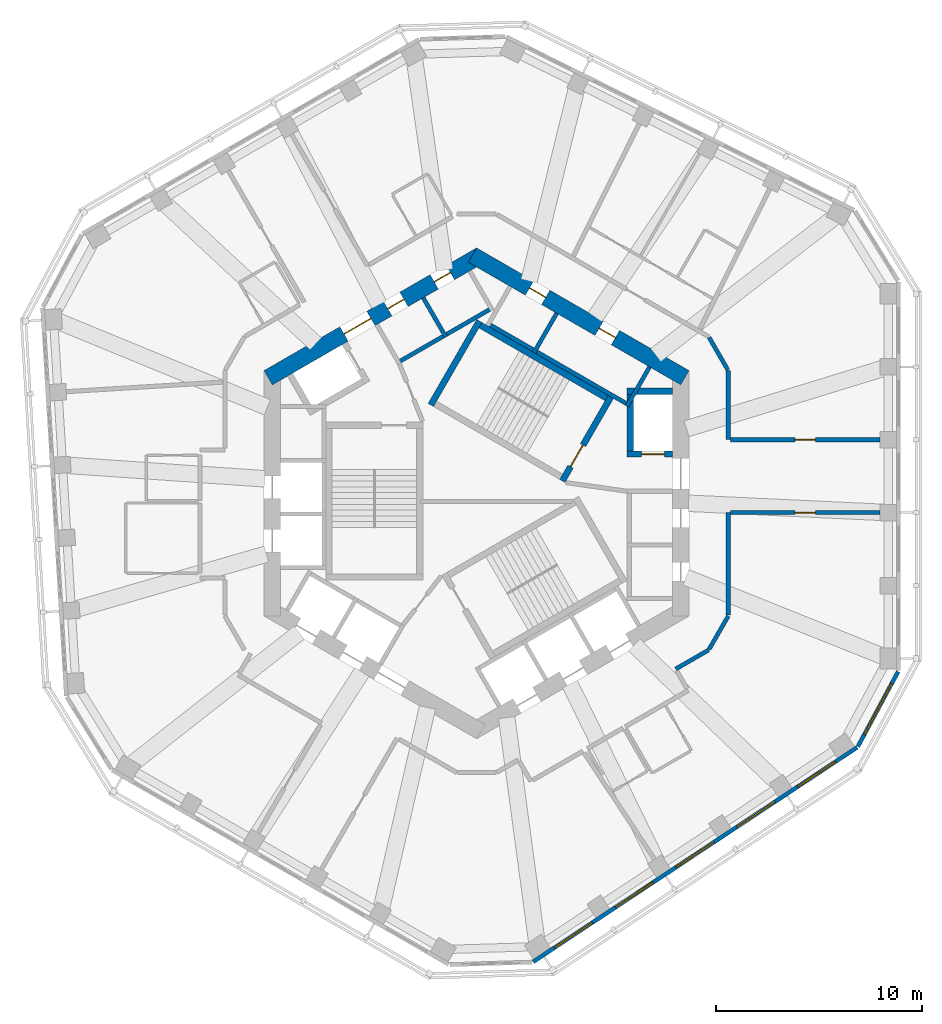
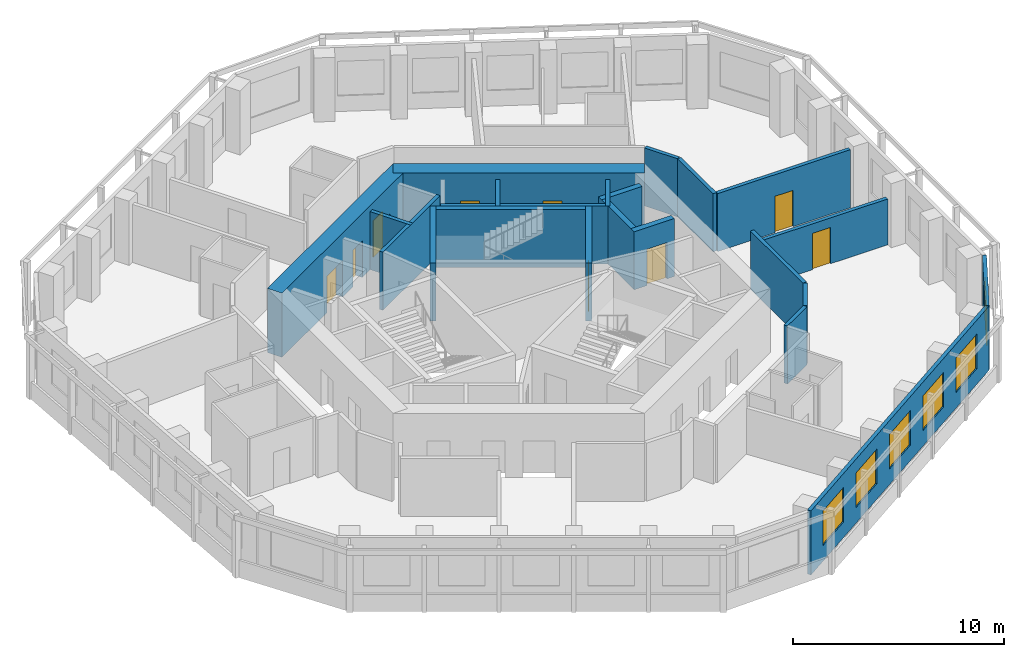
# One storey, part 6 of 11: 22 walls, 9 doors, 6 windows, 15 openings.
"""IFC4 building model written with IfcOpenShell, lengths in metres."""

from ifc_helpers import new_model, si_unit, direction, frame, frame_2d, origin, place, context, subcontext, project, spatial, rectangle, extrude, material, layer, layer_set, type_object, element, fill, save


model = new_model("IFC4")

# Units and contexts
model_context = context("Model", 3, precision=1e-05, world=origin(), true_north=direction((0.0, 1.0)))
body_context = subcontext(model_context, "Body", "Model", "MODEL_VIEW")
ifc_project = project(units=[si_unit("LENGTHUNIT", "METRE"), si_unit("AREAUNIT", "SQUARE_METRE"), si_unit("VOLUMEUNIT", "CUBIC_METRE"), si_unit("PLANEANGLEUNIT", "RADIAN"), si_unit("MASSUNIT", "GRAM", prefix="KILO")], contexts=[model_context])

# Site, building, storey
site_placement = place(None, origin())
site = spatial("IfcSite", under=ifc_project, at=site_placement, CompositionType="ELEMENT")
building_placement = place(site_placement, origin())
building = spatial("IfcBuilding", under=site, at=building_placement, Name="Vanh Sen Convention Tower", CompositionType="ELEMENT")
storey_placement = place(building_placement, frame((0.0, 0.0, 251.300048828125)))
storey = spatial("IfcBuildingStorey", under=building, at=storey_placement, Name="L62", CompositionType="ELEMENT", Elevation=251.300048828125)

# Wall, openings, doors
ifc_material_1 = material(Name="Concrete C60/75", Category="concrete")
ifc_layer_1 = layer(ifc_material_1, 0.800048828125)
ifc_layer_set_1 = layer_set([ifc_layer_1], Name="Concrete C60/75")
wall_type_1 = type_object("IfcWallType", Name="Core outer wall 800 C60/75", PredefinedType="SHEAR", material=ifc_layer_set_1)
wall_1_placement = place(storey_placement, frame((10.10009765625, 5.600341796875, 0.0), z_axis=(0.0, 0.0, 1.0), x_axis=(-0.866023897231, 0.500002609418, 0.0)))
wall_1 = element("IfcWall", 1, at=wall_1_placement, inside=storey, type_object=wall_type_1, Name="Core wall face NE L62", PredefinedType="SHEAR", context=body_context, shape_type="SweptSolid", body=[
    extrude(rectangle(XDim=11.8935546875, YDim=0.800048828125, at=frame_2d((5.94677734375, 0.0))), origin(), (0.0, 0.0, 1.0), 3.699951171875),
])
opening_1_placement = place(wall_1_placement, frame((3.896728515625, 0.0, 0.0)))
opening_1 = element("IfcOpeningElement", 2, at=opening_1_placement, cuts=wall_1, Name="Opening D61011", PredefinedType="OPENING", context=body_context, shape_type="SweptSolid", body=[
    extrude(rectangle(XDim=0.89990234375, YDim=2.10009765625, at=frame_2d((0.449951171875, 1.050048828125))), frame((0.0, 0.409912109375, 0.0), z_axis=(0.0, -1.0, 0.0), x_axis=(1.0, 0.0, 0.0)), (0.0, 0.0, 1.0), 0.820068359375),
])
opening_2_placement = place(wall_1_placement, frame((7.796630859375, 0.0, 0.0)))
opening_2 = element("IfcOpeningElement", 3, at=opening_2_placement, cuts=wall_1, Name="Opening D61012", PredefinedType="OPENING", context=body_context, shape_type="SweptSolid", body=[
    extrude(rectangle(XDim=0.89990234375, YDim=2.10009765625, at=frame_2d((0.449951171875, 1.050048828125))), frame((0.0, 0.409912109375, 0.0), z_axis=(0.0, -1.0, 0.0), x_axis=(1.0, 0.0, 0.0)), (0.0, 0.0, 1.0), 0.820068359375),
])
ifc_material_2 = material(Name="Steel S355", Category="steel")
door_type_1 = type_object("IfcDoorType", Name="Plant door 900", OperationType="SINGLE_SWING_LEFT", PredefinedType="DOOR", material=ifc_material_2)
door_1_placement = place(opening_1_placement, origin())
door_1 = element("IfcDoor", 4, at=door_1_placement, inside=storey, type_object=door_type_1, Name="Plant door D61011", OperationType="SINGLE_SWING_LEFT", OverallHeight=2.10009765625, OverallWidth=0.89990234375, PredefinedType="DOOR", context=body_context, shape_type="SweptSolid", body=[
    extrude(rectangle(XDim=0.89990234375, YDim=2.10009765625, at=frame_2d((0.449951171875, 1.050048828125))), frame((0.0, 0.02490234375, 0.0), z_axis=(0.0, -1.0, 0.0), x_axis=(1.0, 0.0, 0.0)), (0.0, 0.0, 1.0), 0.050048828125),
])
fill(opening_1, door_1)
door_2_placement = place(opening_2_placement, origin())
door_2 = element("IfcDoor", 5, at=door_2_placement, inside=storey, type_object=door_type_1, Name="Plant door D61012", OperationType="SINGLE_SWING_LEFT", OverallHeight=2.10009765625, OverallWidth=0.89990234375, PredefinedType="DOOR", context=body_context, shape_type="SweptSolid", body=[
    extrude(rectangle(XDim=0.89990234375, YDim=2.10009765625, at=frame_2d((0.449951171875, 1.050048828125))), frame((0.0, 0.02490234375, 0.0), z_axis=(0.0, -1.0, 0.0), x_axis=(1.0, 0.0, 0.0)), (0.0, 0.0, 1.0), 0.050048828125),
])
fill(opening_2, door_2)

wall_2_placement = place(storey_placement, frame((0.199951171875, 11.547119140625, 0.0), z_axis=(0.0, 0.0, 1.0), x_axis=(-0.866023897231, -0.500002609418, 0.0)))
wall_2 = element("IfcWall", 6, at=wall_2_placement, inside=storey, type_object=wall_type_1, Name="Core wall face NW L62", PredefinedType="SHEAR", context=body_context, shape_type="SweptSolid", body=[
    extrude(rectangle(XDim=11.8935546875, YDim=0.800048828125, at=frame_2d((5.94677734375, 0.0))), origin(), (0.0, 0.0, 1.0), 3.699951171875),
])
opening_3_placement = place(wall_2_placement, frame((6.146728515625, 0.0, 0.0)))
opening_3 = element("IfcOpeningElement", 7, at=opening_3_placement, cuts=wall_2, Name="Opening D61002", PredefinedType="OPENING", context=body_context, shape_type="SweptSolid", body=[
    extrude(rectangle(XDim=1.5, YDim=2.10009765625, at=frame_2d((0.75, 1.050048828125))), frame((0.0, 0.409912109375, 0.0), z_axis=(0.0, -1.0, 0.0), x_axis=(1.0, 0.0, 0.0)), (0.0, 0.0, 1.0), 0.820068359375),
])
opening_4_placement = place(wall_2_placement, frame((1.69677734375, 0.0, 0.0)))
opening_4 = element("IfcOpeningElement", 8, at=opening_4_placement, cuts=wall_2, Name="Opening D61013", PredefinedType="OPENING", context=body_context, shape_type="SweptSolid", body=[
    extrude(rectangle(XDim=0.89990234375, YDim=2.10009765625, at=frame_2d((0.449951171875, 1.050048828125))), frame((0.0, 0.409912109375, 0.0), z_axis=(0.0, -1.0, 0.0), x_axis=(1.0, 0.0, 0.0)), (0.0, 0.0, 1.0), 0.820068359375),
])
opening_5_placement = place(wall_2_placement, frame((4.296630859375, 0.0, 0.0)))
opening_5 = element("IfcOpeningElement", 9, at=opening_5_placement, cuts=wall_2, Name="Opening D61014", PredefinedType="OPENING", context=body_context, shape_type="SweptSolid", body=[
    extrude(rectangle(XDim=0.89990234375, YDim=2.10009765625, at=frame_2d((0.449951171875, 1.050048828125))), frame((0.0, 0.409912109375, 0.0), z_axis=(0.0, -1.0, 0.0), x_axis=(1.0, 0.0, 0.0)), (0.0, 0.0, 1.0), 0.820068359375),
])
door_3_placement = place(opening_4_placement, origin())
door_3 = element("IfcDoor", 10, at=door_3_placement, inside=storey, type_object=door_type_1, Name="Plant door D61013", OperationType="SINGLE_SWING_LEFT", OverallHeight=2.10009765625, OverallWidth=0.89990234375, PredefinedType="DOOR", context=body_context, shape_type="SweptSolid", body=[
    extrude(rectangle(XDim=0.89990234375, YDim=2.10009765625, at=frame_2d((0.449951171875, 1.050048828125))), frame((0.0, 0.02490234375, 0.0), z_axis=(0.0, -1.0, 0.0), x_axis=(1.0, 0.0, 0.0)), (0.0, 0.0, 1.0), 0.050048828125),
])
fill(opening_4, door_3)
door_4_placement = place(opening_5_placement, origin())
door_4 = element("IfcDoor", 11, at=door_4_placement, inside=storey, type_object=door_type_1, Name="Plant door D61014", OperationType="SINGLE_SWING_LEFT", OverallHeight=2.10009765625, OverallWidth=0.89990234375, PredefinedType="DOOR", context=body_context, shape_type="SweptSolid", body=[
    extrude(rectangle(XDim=0.89990234375, YDim=2.10009765625, at=frame_2d((0.449951171875, 1.050048828125))), frame((0.0, 0.02490234375, 0.0), z_axis=(0.0, -1.0, 0.0), x_axis=(1.0, 0.0, 0.0)), (0.0, 0.0, 1.0), 0.050048828125),
])
fill(opening_5, door_4)
door_type_2 = type_object("IfcDoorType", Name="Stair lobby door 1500", OperationType="DOUBLE_DOOR_SINGLE_SWING", PredefinedType="DOOR", material=ifc_material_2)
door_5_placement = place(opening_3_placement, origin())
door_5 = element("IfcDoor", 12, at=door_5_placement, inside=storey, type_object=door_type_2, Name="Stair lobby door D61002", OperationType="DOUBLE_DOOR_SINGLE_SWING", OverallHeight=2.10009765625, OverallWidth=1.5, PredefinedType="DOOR", context=body_context, shape_type="SweptSolid", body=[
    extrude(rectangle(XDim=1.5, YDim=2.10009765625, at=frame_2d((0.75, 1.050048828125))), frame((0.0, 0.02490234375, 0.0), z_axis=(0.0, -1.0, 0.0), x_axis=(1.0, 0.0, 0.0)), (0.0, 0.0, 1.0), 0.050048828125),
])
fill(opening_3, door_5)

# Walls
ifc_material_3 = material(Name="Gypsum board on steel studs with mineral wool", Category="steel")
ifc_layer_2 = layer(ifc_material_3, 0.199951171875)
ifc_layer_set_2 = layer_set([ifc_layer_2], Name="Gypsum board on steel studs with mineral wool")
wall_type_2 = type_object("IfcWallType", Name="Corridor partition wall 200", PredefinedType="PARTITIONING", material=ifc_layer_set_2)
wall_3_placement = place(storey_placement, frame((9.651611328125, -8.514892578125, 0.0), z_axis=(0.0, 0.0, 1.0), x_axis=(0.866020375458, 0.500008709215, 0.0)))
element("IfcWall", 13, at=wall_3_placement, inside=storey, type_object=wall_type_2, Name="Corridor partition wall 200", PredefinedType="PARTITIONING", context=body_context, shape_type="SweptSolid", body=[
    extrude(rectangle(XDim=1.845703125, YDim=0.199951171875, at=frame_2d((0.9228515625, 0.0))), origin(), (0.0, 0.0, 1.0), 3.349853515625),
])
wall_4_placement = place(storey_placement, frame((11.27001953125, -7.5576171875, 0.0), z_axis=(0.0, 0.0, 1.0), x_axis=(0.499964847546, 0.866045698112, 0.0)))
element("IfcWall", 14, at=wall_4_placement, inside=storey, type_object=wall_type_2, Name="Corridor partition wall 200", PredefinedType="PARTITIONING", context=body_context, shape_type="SweptSolid", body=[
    extrude(rectangle(XDim=1.860107421875, YDim=0.199951171875, at=frame_2d((0.93017578125, 0.0))), origin(), (0.0, 0.0, 1.0), 3.349853515625),
])
wall_5_placement = place(storey_placement, frame((12.179931640625, 5.981201171875, 0.0), z_axis=(0.0, 0.0, 1.0), x_axis=(-0.499904359745, 0.86608061467, 0.0)))
element("IfcWall", 15, at=wall_5_placement, inside=storey, type_object=wall_type_2, Name="Corridor partition wall 200", PredefinedType="PARTITIONING", context=body_context, shape_type="SweptSolid", body=[
    extrude(rectangle(XDim=1.820068359375, YDim=0.199951171875, at=frame_2d((0.91015625, 0.0))), origin(), (0.0, 0.0, 1.0), 3.349853515625),
])
wall_6_placement = place(storey_placement, frame((12.199951171875, -5.90673828125, 0.0), z_axis=(0.0, 0.0, 1.0), x_axis=(0.0, 1.0, 0.0)))
element("IfcWall", 16, at=wall_6_placement, inside=storey, type_object=wall_type_2, Name="Corridor partition wall 200", PredefinedType="PARTITIONING", context=body_context, shape_type="SweptSolid", body=[
    extrude(rectangle(XDim=4.97119140625, YDim=0.199951171875, at=frame_2d((2.485595703125, 0.0))), origin(), (0.0, 0.0, 1.0), 3.349853515625),
])
wall_7_placement = place(storey_placement, frame((12.199951171875, 2.59814453125, 0.0), z_axis=(0.0, 0.0, 1.0), x_axis=(0.0, 1.0, 0.0)))
element("IfcWall", 17, at=wall_7_placement, inside=storey, type_object=wall_type_2, Name="Corridor partition wall 200", PredefinedType="PARTITIONING", context=body_context, shape_type="SweptSolid", body=[
    extrude(rectangle(XDim=3.3486328125, YDim=0.199951171875, at=frame_2d((1.67431640625, 0.0))), origin(), (0.0, 0.0, 1.0), 3.349853515625),
])

# Wall, opening, door
wall_8_placement = place(storey_placement, frame((12.300048828125, -0.935546875, 0.0), z_axis=(0.0, 0.0, 1.0), x_axis=(1.0, 0.0, 0.0)))
wall_8 = element("IfcWall", 18, at=wall_8_placement, inside=storey, type_object=wall_type_2, Name="Corridor partition wall 200", PredefinedType="PARTITIONING", context=body_context, shape_type="SweptSolid", body=[
    extrude(rectangle(XDim=7.25, YDim=0.199951171875, at=frame_2d((3.625, 0.0))), origin(), (0.0, 0.0, 1.0), 2.64990234375),
])
opening_6_placement = place(wall_8_placement, frame((3.125, 0.0, 0.0)))
opening_6 = element("IfcOpeningElement", 19, at=opening_6_placement, cuts=wall_8, Name="Opening D61114", PredefinedType="OPENING", context=body_context, shape_type="SweptSolid", body=[
    extrude(rectangle(XDim=1.0, YDim=2.10009765625, at=frame_2d((0.5, 1.050048828125))), frame((0.0, 0.10986328125, 0.0), z_axis=(0.0, -1.0, 0.0), x_axis=(1.0, 0.0, 0.0)), (0.0, 0.0, 1.0), 0.219970703125),
])
ifc_material_4 = material(Name="Glazed fire door in steel frame", Category="steel")
door_type_3 = type_object("IfcDoorType", Name="Tenant entrance door 1000", OperationType="SINGLE_SWING_LEFT", PredefinedType="DOOR", material=ifc_material_4)
door_6_placement = place(opening_6_placement, origin())
door_6 = element("IfcDoor", 20, at=door_6_placement, inside=storey, type_object=door_type_3, Name="Tenant suite entrance door D61114", OperationType="SINGLE_SWING_LEFT", OverallHeight=2.10009765625, OverallWidth=1.0, PredefinedType="DOOR", context=body_context, shape_type="SweptSolid", body=[
    extrude(rectangle(XDim=1.0, YDim=2.10009765625, at=frame_2d((0.5, 1.050048828125))), frame((0.0, 0.02490234375, 0.0), z_axis=(0.0, -1.0, 0.0), x_axis=(1.0, 0.0, 0.0)), (0.0, 0.0, 1.0), 0.050048828125),
])
fill(opening_6, door_6)

wall_9_placement = place(storey_placement, frame((19.550048828125, 2.59814453125, 0.0), z_axis=(0.0, 0.0, 1.0), x_axis=(-1.0, 0.0, 0.0)))
wall_9 = element("IfcWall", 21, at=wall_9_placement, inside=storey, type_object=wall_type_2, Name="Corridor partition wall 200", PredefinedType="PARTITIONING", context=body_context, shape_type="SweptSolid", body=[
    extrude(rectangle(XDim=7.25, YDim=0.199951171875, at=frame_2d((3.625, 0.0))), origin(), (0.0, 0.0, 1.0), 3.349853515625),
])
opening_7_placement = place(wall_9_placement, frame((3.125, 0.0, 0.0)))
opening_7 = element("IfcOpeningElement", 22, at=opening_7_placement, cuts=wall_9, Name="Opening D61101", PredefinedType="OPENING", context=body_context, shape_type="SweptSolid", body=[
    extrude(rectangle(XDim=1.0, YDim=2.10009765625, at=frame_2d((0.5, 1.050048828125))), frame((0.0, 0.10986328125, 0.0), z_axis=(0.0, -1.0, 0.0), x_axis=(1.0, 0.0, 0.0)), (0.0, 0.0, 1.0), 0.219970703125),
])
ifc_material_5 = material(Name="Timber fire door in steel frame", Category="steel")
door_type_4 = type_object("IfcDoorType", Name="Floor room door 1000", OperationType="SINGLE_SWING_LEFT", PredefinedType="DOOR", material=ifc_material_5)
door_7_placement = place(opening_7_placement, origin())
door_7 = element("IfcDoor", 23, at=door_7_placement, inside=storey, type_object=door_type_4, Name="Meeting and amenity room door D61101", OperationType="SINGLE_SWING_LEFT", OverallHeight=2.10009765625, OverallWidth=1.0, PredefinedType="DOOR", context=body_context, shape_type="SweptSolid", body=[
    extrude(rectangle(XDim=1.0, YDim=2.10009765625, at=frame_2d((0.5, 1.050048828125))), frame((0.0, 0.02490234375, 0.0), z_axis=(0.0, -1.0, 0.0), x_axis=(1.0, 0.0, 0.0)), (0.0, 0.0, 1.0), 0.050048828125),
])
fill(opening_7, door_7)

# Wall, openings, windows
ifc_material_6 = material(Name="Insulated lightweight infill wall")
ifc_layer_3 = layer(ifc_material_6, 0.199951171875)
ifc_layer_set_3 = layer_set([ifc_layer_3], Name="Insulated lightweight infill wall")
wall_type_3 = type_object("IfcWallType", Name="External wall 200", PredefinedType="STANDARD", material=ifc_layer_set_3)
wall_10_placement = place(storey_placement, frame((2.739013671875, -22.7109375, 0.0), z_axis=(0.0, 0.0, 1.0), x_axis=(0.833885723098, 0.551937134838, 0.0)))
wall_10 = element("IfcWall", 24, at=wall_10_placement, inside=storey, type_object=wall_type_3, Name="External wall SE L62", PredefinedType="STANDARD", context=body_context, shape_type="SweptSolid", body=[
    extrude(rectangle(XDim=18.84130859375, YDim=0.199951171875, at=frame_2d((9.420654296875, 0.0))), origin(), (0.0, 0.0, 1.0), 3.699951171875),
])
opening_8_placement = place(wall_10_placement, frame((1.25244140625, 0.0, 0.89990234375)))
opening_8 = element("IfcOpeningElement", 25, at=opening_8_placement, cuts=wall_10, Name="Opening WO3-SE1", PredefinedType="OPENING", context=body_context, shape_type="SweptSolid", body=[
    extrude(rectangle(XDim=2.199951171875, YDim=2.0, at=frame_2d((1.10009765625, 1.0))), frame((0.0, 0.10986328125, 0.0), z_axis=(0.0, -1.0, 0.0), x_axis=(1.0, 0.0, 0.0)), (0.0, 0.0, 1.0), 0.219970703125),
])
opening_9_placement = place(wall_10_placement, frame((4.7861328125, 0.0, 0.89990234375)))
opening_9 = element("IfcOpeningElement", 26, at=opening_9_placement, cuts=wall_10, Name="Opening WO3-SE2", PredefinedType="OPENING", context=body_context, shape_type="SweptSolid", body=[
    extrude(rectangle(XDim=2.199951171875, YDim=2.0, at=frame_2d((1.10009765625, 1.0))), frame((0.0, 0.10986328125, 0.0), z_axis=(0.0, -1.0, 0.0), x_axis=(1.0, 0.0, 0.0)), (0.0, 0.0, 1.0), 0.219970703125),
])
opening_10_placement = place(wall_10_placement, frame((8.31982421875, 0.0, 0.89990234375)))
opening_10 = element("IfcOpeningElement", 27, at=opening_10_placement, cuts=wall_10, Name="Opening WO3-SE3", PredefinedType="OPENING", context=body_context, shape_type="SweptSolid", body=[
    extrude(rectangle(XDim=2.199951171875, YDim=2.0, at=frame_2d((1.10009765625, 1.0))), frame((0.0, 0.10986328125, 0.0), z_axis=(0.0, -1.0, 0.0), x_axis=(1.0, 0.0, 0.0)), (0.0, 0.0, 1.0), 0.219970703125),
])
opening_11_placement = place(wall_10_placement, frame((11.853515625, 0.0, 0.89990234375)))
opening_11 = element("IfcOpeningElement", 28, at=opening_11_placement, cuts=wall_10, Name="Opening WO3-SE4", PredefinedType="OPENING", context=body_context, shape_type="SweptSolid", body=[
    extrude(rectangle(XDim=2.199951171875, YDim=2.0, at=frame_2d((1.10009765625, 1.0))), frame((0.0, 0.10986328125, 0.0), z_axis=(0.0, -1.0, 0.0), x_axis=(1.0, 0.0, 0.0)), (0.0, 0.0, 1.0), 0.219970703125),
])
opening_12_placement = place(wall_10_placement, frame((15.386962890625, 0.0, 0.89990234375)))
opening_12 = element("IfcOpeningElement", 29, at=opening_12_placement, cuts=wall_10, Name="Opening WO3-SE5", PredefinedType="OPENING", context=body_context, shape_type="SweptSolid", body=[
    extrude(rectangle(XDim=2.199951171875, YDim=2.0, at=frame_2d((1.10009765625, 1.0))), frame((0.0, 0.10986328125, 0.0), z_axis=(0.0, -1.0, 0.0), x_axis=(1.0, 0.0, 0.0)), (0.0, 0.0, 1.0), 0.219970703125),
])
ifc_material_7 = material(Name="Aluminium frame with clear low-emissivity glass", Category="aluminium")
window_type_1 = type_object("IfcWindowType", Name="Office window 2200 x 2000", PartitioningType="SINGLE_PANEL", PredefinedType="WINDOW", material=ifc_material_7)
window_1_placement = place(opening_8_placement, origin())
window_1 = element("IfcWindow", 30, at=window_1_placement, inside=storey, type_object=window_type_1, Name="Window WO3-SE1", OverallHeight=2.0, OverallWidth=2.199951171875, PartitioningType="SINGLE_PANEL", PredefinedType="WINDOW", context=body_context, shape_type="SweptSolid", body=[
    extrude(rectangle(XDim=2.199951171875, YDim=2.0, at=frame_2d((1.10009765625, 1.0))), frame((0.0, 0.030029296875, 0.0), z_axis=(0.0, -1.0, 0.0), x_axis=(1.0, 0.0, 0.0)), (0.0, 0.0, 1.0), 0.06005859375),
])
fill(opening_8, window_1)
window_2_placement = place(opening_9_placement, origin())
window_2 = element("IfcWindow", 31, at=window_2_placement, inside=storey, type_object=window_type_1, Name="Window WO3-SE2", OverallHeight=2.0, OverallWidth=2.199951171875, PartitioningType="SINGLE_PANEL", PredefinedType="WINDOW", context=body_context, shape_type="SweptSolid", body=[
    extrude(rectangle(XDim=2.199951171875, YDim=2.0, at=frame_2d((1.10009765625, 1.0))), frame((0.0, 0.030029296875, 0.0), z_axis=(0.0, -1.0, 0.0), x_axis=(1.0, 0.0, 0.0)), (0.0, 0.0, 1.0), 0.06005859375),
])
fill(opening_9, window_2)
window_3_placement = place(opening_10_placement, origin())
window_3 = element("IfcWindow", 32, at=window_3_placement, inside=storey, type_object=window_type_1, Name="Window WO3-SE3", OverallHeight=2.0, OverallWidth=2.199951171875, PartitioningType="SINGLE_PANEL", PredefinedType="WINDOW", context=body_context, shape_type="SweptSolid", body=[
    extrude(rectangle(XDim=2.199951171875, YDim=2.0, at=frame_2d((1.10009765625, 1.0))), frame((0.0, 0.030029296875, 0.0), z_axis=(0.0, -1.0, 0.0), x_axis=(1.0, 0.0, 0.0)), (0.0, 0.0, 1.0), 0.06005859375),
])
fill(opening_10, window_3)
window_4_placement = place(opening_11_placement, origin())
window_4 = element("IfcWindow", 33, at=window_4_placement, inside=storey, type_object=window_type_1, Name="Window WO3-SE4", OverallHeight=2.0, OverallWidth=2.199951171875, PartitioningType="SINGLE_PANEL", PredefinedType="WINDOW", context=body_context, shape_type="SweptSolid", body=[
    extrude(rectangle(XDim=2.199951171875, YDim=2.0, at=frame_2d((1.10009765625, 1.0))), frame((0.0, 0.030029296875, 0.0), z_axis=(0.0, -1.0, 0.0), x_axis=(1.0, 0.0, 0.0)), (0.0, 0.0, 1.0), 0.06005859375),
])
fill(opening_11, window_4)
window_5_placement = place(opening_12_placement, origin())
window_5 = element("IfcWindow", 34, at=window_5_placement, inside=storey, type_object=window_type_1, Name="Window WO3-SE5", OverallHeight=2.0, OverallWidth=2.199951171875, PartitioningType="SINGLE_PANEL", PredefinedType="WINDOW", context=body_context, shape_type="SweptSolid", body=[
    extrude(rectangle(XDim=2.199951171875, YDim=2.0, at=frame_2d((1.10009765625, 1.0))), frame((0.0, 0.030029296875, 0.0), z_axis=(0.0, -1.0, 0.0), x_axis=(1.0, 0.0, 0.0)), (0.0, 0.0, 1.0), 0.06005859375),
])
fill(opening_12, window_5)

# Wall, opening, window
wall_11_placement = place(storey_placement, frame((18.4833984375, -12.275634765625, 0.0), z_axis=(0.0, 0.0, 1.0), x_axis=(0.473267675015, 0.880918672629, 0.0)))
wall_11 = element("IfcWall", 35, at=wall_11_placement, inside=storey, type_object=wall_type_3, Name="External wall CH6 L62", PredefinedType="STANDARD", context=body_context, shape_type="SweptSolid", body=[
    extrude(rectangle(XDim=4.1298828125, YDim=0.199951171875, at=frame_2d((2.06494140625, 0.0))), origin(), (0.0, 0.0, 1.0), 3.699951171875),
])
opening_13_placement = place(wall_11_placement, frame((0.6650390625, 0.0, 0.89990234375)))
opening_13 = element("IfcOpeningElement", 36, at=opening_13_placement, cuts=wall_11, Name="Opening WO4-CH61", PredefinedType="OPENING", context=body_context, shape_type="SweptSolid", body=[
    extrude(rectangle(XDim=2.800048828125, YDim=2.0, at=frame_2d((1.39990234375, 1.0))), frame((0.0, 0.10986328125, 0.0), z_axis=(0.0, -1.0, 0.0), x_axis=(1.0, 0.0, 0.0)), (0.0, 0.0, 1.0), 0.219970703125),
])
window_type_2 = type_object("IfcWindowType", Name="Office window 2800 x 2000", PartitioningType="SINGLE_PANEL", PredefinedType="WINDOW", material=ifc_material_7)
window_6_placement = place(opening_13_placement, origin())
window_6 = element("IfcWindow", 37, at=window_6_placement, inside=storey, type_object=window_type_2, Name="Window WO4-CH61", OverallHeight=2.0, OverallWidth=2.800048828125, PartitioningType="SINGLE_PANEL", PredefinedType="WINDOW", context=body_context, shape_type="SweptSolid", body=[
    extrude(rectangle(XDim=2.800048828125, YDim=2.0, at=frame_2d((1.39990234375, 1.0))), frame((0.0, 0.030029296875, 0.0), z_axis=(0.0, -1.0, 0.0), x_axis=(1.0, 0.0, 0.0)), (0.0, 0.0, 1.0), 0.06005859375),
])
fill(opening_13, window_6)

# Wall, opening, door
ifc_layer_4 = layer(ifc_material_1, 0.300048828125)
ifc_layer_set_4 = layer_set([ifc_layer_4], Name="Concrete C60/75")
wall_type_4 = type_object("IfcWallType", Name="Fire-fighting lift shaft wall 300", PredefinedType="SHEAR", material=ifc_layer_set_4)
wall_12_placement = place(storey_placement, frame((7.300048828125, 1.89990234375, 0.0), z_axis=(0.0, 0.0, 1.0), x_axis=(1.0, 0.0, 0.0)))
wall_12 = element("IfcWall", 38, at=wall_12_placement, inside=storey, type_object=wall_type_4, Name="Fire-fighting lift shaft wall L62", PredefinedType="SHEAR", context=body_context, shape_type="SweptSolid", body=[
    extrude(rectangle(XDim=2.199951171875, YDim=0.300048828125, at=frame_2d((1.10009765625, 0.0))), origin(), (0.0, 0.0, 1.0), 3.349853515625),
])
opening_14_placement = place(wall_12_placement, frame((0.699951171875, 0.0, 0.0)))
opening_14 = element("IfcOpeningElement", 39, at=opening_14_placement, cuts=wall_12, Name="Opening LD-FF1", PredefinedType="OPENING", context=body_context, shape_type="SweptSolid", body=[
    extrude(rectangle(XDim=1.10009765625, YDim=2.10009765625, at=frame_2d((0.550048828125, 1.050048828125))), frame((0.0, 0.159912109375, 0.0), z_axis=(0.0, -1.0, 0.0), x_axis=(1.0, 0.0, 0.0)), (0.0, 0.0, 1.0), 0.320068359375),
])
ifc_material_8 = material(Name="Stainless steel", Category="steel")
door_type_5 = type_object("IfcDoorType", Name="Fire-fighting lift landing door 1100", OperationType="DOUBLE_DOOR_SLIDING", PredefinedType="DOOR", material=ifc_material_8)
door_8_placement = place(opening_14_placement, origin())
door_8 = element("IfcDoor", 40, at=door_8_placement, inside=storey, type_object=door_type_5, Name="Lift FF1 landing door LD-FF1", OperationType="DOUBLE_DOOR_SLIDING", OverallHeight=2.10009765625, OverallWidth=1.10009765625, PredefinedType="DOOR", context=body_context, shape_type="SweptSolid", body=[
    extrude(rectangle(XDim=1.10009765625, YDim=2.10009765625, at=frame_2d((0.550048828125, 1.050048828125))), frame((0.0, 0.02490234375, 0.0), z_axis=(0.0, -1.0, 0.0), x_axis=(1.0, 0.0, 0.0)), (0.0, 0.0, 1.0), 0.050048828125),
])
fill(opening_14, door_8)

# Walls
wall_13_placement = place(storey_placement, frame((7.449951171875, 1.75, 0.0), z_axis=(0.0, 0.0, 1.0), x_axis=(0.0, 1.0, 0.0)))
element("IfcWall", 41, at=wall_13_placement, inside=storey, type_object=wall_type_4, Name="Fire-fighting lift shaft wall L62", PredefinedType="SHEAR", context=body_context, shape_type="SweptSolid", body=[
    extrude(rectangle(XDim=3.35009765625, YDim=0.300048828125, at=frame_2d((1.675048828125, 0.0))), origin(), (0.0, 0.0, 1.0), 3.349853515625),
])
wall_14_placement = place(storey_placement, frame((7.300048828125, 4.949951171875, 0.0), z_axis=(0.0, 0.0, 1.0), x_axis=(1.0, 0.0, 0.0)))
element("IfcWall", 42, at=wall_14_placement, inside=storey, type_object=wall_type_4, Name="Fire-fighting lift shaft wall L62", PredefinedType="SHEAR", context=body_context, shape_type="SweptSolid", body=[
    extrude(rectangle(XDim=2.199951171875, YDim=0.300048828125, at=frame_2d((1.10009765625, 0.0))), origin(), (0.0, 0.0, 1.0), 3.349853515625),
])
ifc_material_9 = material(Name="Concrete C40/50", Category="concrete")
ifc_layer_5 = layer(ifc_material_9, 0.199951171875)
ifc_layer_set_5 = layer_set([ifc_layer_5], Name="Concrete C40/50")
wall_type_5 = type_object("IfcWallType", Name="Lift shaft wall 200", PredefinedType="PARTITIONING", material=ifc_layer_set_5)
wall_15_placement = place(storey_placement, frame((7.423828125, 4.258544921875, 0.0), z_axis=(0.0, 0.0, 1.0), x_axis=(-0.866026010844, 0.49999894854, 0.0)))
element("IfcWall", 43, at=wall_15_placement, inside=storey, type_object=wall_type_5, Name="Lift shaft wall L62", PredefinedType="PARTITIONING", context=body_context, shape_type="SweptSolid", body=[
    extrude(rectangle(XDim=8.0, YDim=0.199951171875, at=frame_2d((4.0, 0.0))), origin(), (0.0, 0.0, 1.0), 3.349853515625),
])
for number, where, z_axis, x_axis, name in (
    (44, (7.287353515625, 4.221923828125, 0.0), (0.0, 0.0, 1.0), (0.499946605688, 0.86605622881, 0.0), "Lift shaft wall L62"),
    (45, (2.783935546875, 6.822021484375, 0.0), (0.0, 0.0, 1.0), (0.50002983664, 0.866008176907, 0.0), "Lift shaft wall L62"),
):
    element("IfcWall", number, at=place(storey_placement, frame(where, z_axis=z_axis, x_axis=x_axis)), inside=storey, type_object=wall_type_5, Name=name, PredefinedType="PARTITIONING", context=body_context, shape_type="SweptSolid", body=[
        extrude(rectangle(XDim=2.199951171875, YDim=0.199951171875, at=frame_2d((1.10009765625, 0.0))), origin(), (0.0, 0.0, 1.0), 3.349853515625),
    ])
wall_16_placement = place(storey_placement, frame((0.80322265625, 9.008544921875, 0.0), z_axis=(0.0, 0.0, 1.0), x_axis=(-0.866028230842, -0.499995103361, 0.0)))
element("IfcWall", 46, at=wall_16_placement, inside=storey, type_object=wall_type_5, Name="Lift shaft wall L62", PredefinedType="PARTITIONING", context=body_context, shape_type="SweptSolid", body=[
    extrude(rectangle(XDim=5.39990234375, YDim=0.199951171875, at=frame_2d((2.699951171875, 0.0))), origin(), (0.0, 0.0, 1.0), 3.349853515625),
])
wall_17_placement = place(storey_placement, frame((-1.48486328125, 7.572021484375, 0.0), z_axis=(0.0, 0.0, 1.0), x_axis=(-0.50002983664, 0.866008176907, 0.0)))
element("IfcWall", 47, at=wall_17_placement, inside=storey, type_object=wall_type_5, Name="Lift shaft wall L62", PredefinedType="PARTITIONING", context=body_context, shape_type="SweptSolid", body=[
    extrude(rectangle(XDim=2.199951171875, YDim=0.199951171875, at=frame_2d((1.10009765625, 0.0))), origin(), (0.0, 0.0, 1.0), 3.349853515625),
])

# Wall, opening, door
ifc_layer_6 = layer(ifc_material_1, 0.300048828125)
ifc_layer_set_6 = layer_set([ifc_layer_6], Name="Concrete C60/75")
wall_type_6 = type_object("IfcWallType", Name="Stair wall 300", PredefinedType="SHEAR", material=ifc_layer_set_6)
wall_18_placement = place(storey_placement, frame((4.157958984375, 0.601806640625, 0.0), z_axis=(0.0, 0.0, 1.0), x_axis=(0.499977259774, 0.866038532462, 0.0)))
wall_18 = element("IfcWall", 48, at=wall_18_placement, inside=storey, type_object=wall_type_6, Name="Stair wall L62", PredefinedType="SHEAR", context=body_context, shape_type="SweptSolid", body=[
    extrude(rectangle(XDim=4.699951171875, YDim=0.300048828125, at=frame_2d((2.35009765625, 0.0))), origin(), (0.0, 0.0, 1.0), 3.349853515625),
])
opening_15_placement = place(wall_18_placement, frame((0.800048828125, 0.0, 0.0)))
opening_15 = element("IfcOpeningElement", 49, at=opening_15_placement, cuts=wall_18, Name="Opening D61004", PredefinedType="OPENING", context=body_context, shape_type="SweptSolid", body=[
    extrude(rectangle(XDim=1.199951171875, YDim=2.10009765625, at=frame_2d((0.60009765625, 1.050048828125))), frame((0.0, 0.159912109375, 0.0), z_axis=(0.0, -1.0, 0.0), x_axis=(1.0, 0.0, 0.0)), (0.0, 0.0, 1.0), 0.320068359375),
])
door_type_6 = type_object("IfcDoorType", Name="Stair door 1200", OperationType="SINGLE_SWING_RIGHT", PredefinedType="DOOR", material=ifc_material_2)
door_9_placement = place(opening_15_placement, origin())
door_9 = element("IfcDoor", 50, at=door_9_placement, inside=storey, type_object=door_type_6, Name="Stair ST1 door D61004", OperationType="SINGLE_SWING_RIGHT", OverallHeight=2.10009765625, OverallWidth=1.199951171875, PredefinedType="DOOR", context=body_context, shape_type="SweptSolid", body=[
    extrude(rectangle(XDim=1.199951171875, YDim=2.10009765625, at=frame_2d((0.60009765625, 1.050048828125))), frame((0.0, 0.02490234375, 0.0), z_axis=(0.0, -1.0, 0.0), x_axis=(1.0, 0.0, 0.0)), (0.0, 0.0, 1.0), 0.050048828125),
])
fill(opening_15, door_9)

# Walls
wall_19_placement = place(storey_placement, frame((-2.216064453125, 4.28173828125, 0.0), z_axis=(0.0, 0.0, 1.0), x_axis=(0.499977259774, 0.866038532462, 0.0)))
element("IfcWall", 51, at=wall_19_placement, inside=storey, type_object=wall_type_6, Name="Stair wall L62", PredefinedType="SHEAR", context=body_context, shape_type="SweptSolid", body=[
    extrude(rectangle(XDim=4.699951171875, YDim=0.300048828125, at=frame_2d((2.35009765625, 0.0))), origin(), (0.0, 0.0, 1.0), 3.349853515625),
])
wall_20_placement = place(storey_placement, frame((6.302978515625, 4.6171875, 0.0), z_axis=(0.0, 0.0, 1.0), x_axis=(-0.866027801685, 0.499995846692, 0.0)))
element("IfcWall", 52, at=wall_20_placement, inside=storey, type_object=wall_type_6, Name="Stair wall L62", PredefinedType="SHEAR", context=body_context, shape_type="SweptSolid", body=[
    extrude(rectangle(XDim=7.06005859375, YDim=0.300048828125, at=frame_2d((3.530029296875, 0.0))), origin(), (0.0, 0.0, 1.0), 3.349853515625),
])

save(model, "model.ifc")
